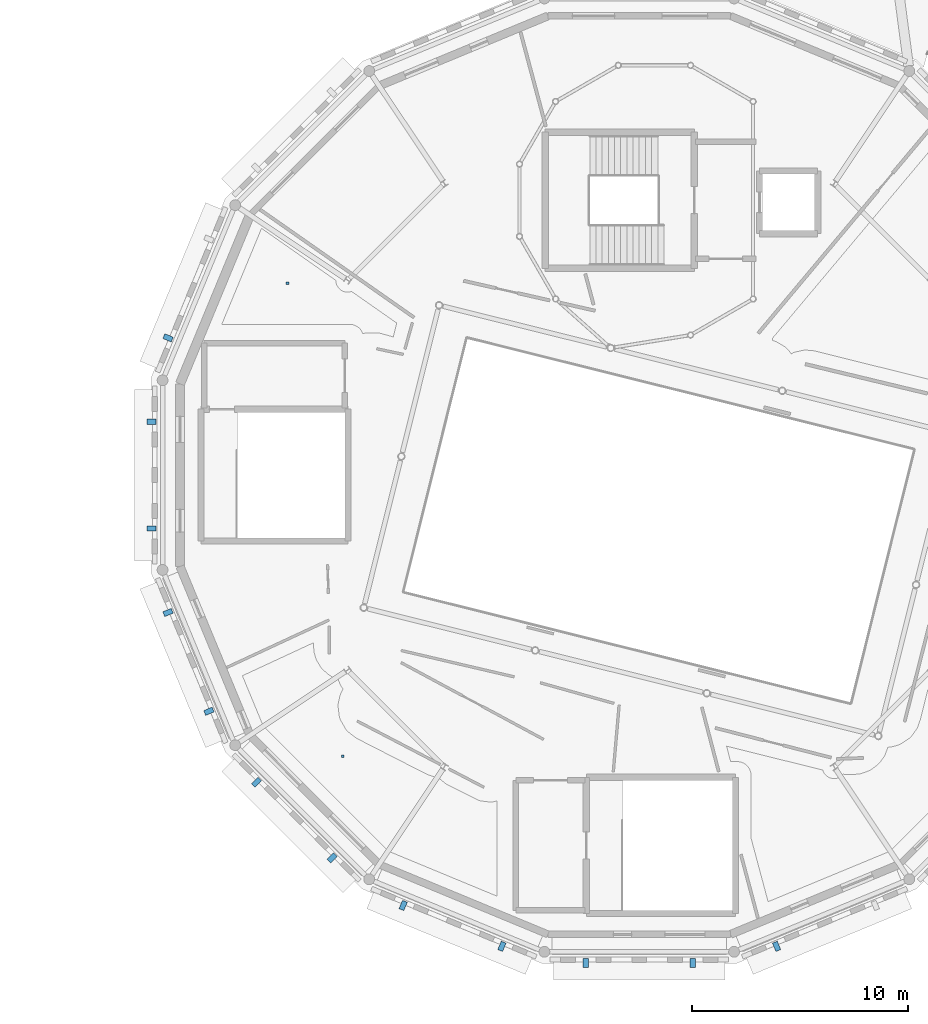
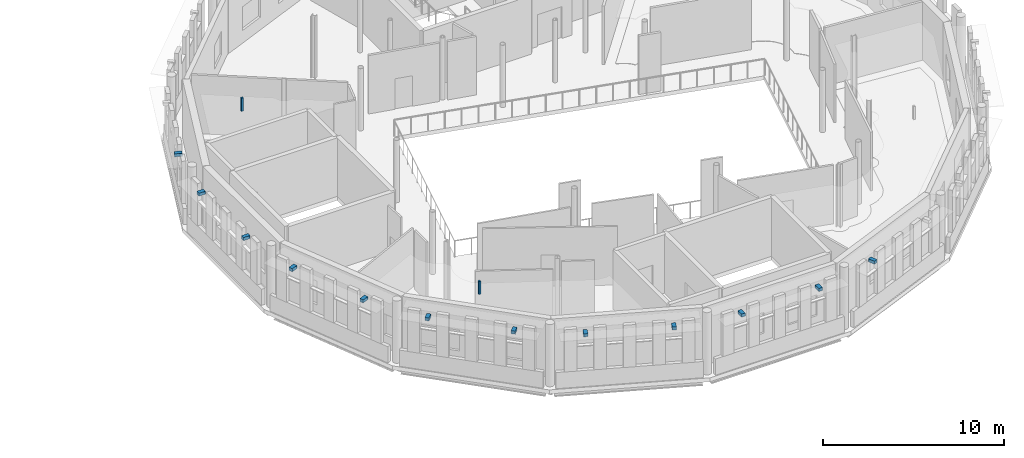
# One storey, part 59 of 68: 14 discrete accessories.
"""IFC4 building model written with IfcOpenShell, lengths in metres."""

from ifc_helpers import new_model, si_unit, direction, frame, origin, origin_2d, place, context, subcontext, project, spatial, rectangle, extrude, material, type_object, element, save


model = new_model("IFC4")

# Units and contexts
model_context = context("Model", 3, precision=1e-05, world=origin(), true_north=direction((0.0, 1.0)))
body_context = subcontext(model_context, "Body", "Model", "MODEL_VIEW")
ifc_project = project(units=[si_unit("LENGTHUNIT", "METRE"), si_unit("AREAUNIT", "SQUARE_METRE"), si_unit("VOLUMEUNIT", "CUBIC_METRE"), si_unit("PLANEANGLEUNIT", "RADIAN"), si_unit("MASSUNIT", "GRAM", prefix="KILO")], contexts=[model_context])

# Site, building, storey
site_placement = place(None, origin())
site = spatial("IfcSite", under=ifc_project, at=site_placement, CompositionType="ELEMENT")
building_placement = place(site_placement, origin())
building = spatial("IfcBuilding", under=site, at=building_placement, Name="Wrenclough Park School", CompositionType="ELEMENT")
storey_placement = place(building_placement, frame((0.0, 0.0, 12.60009765625)))
storey = spatial("IfcBuildingStorey", under=building, at=storey_placement, Name="L03", CompositionType="ELEMENT", Elevation=12.60009765625)

# Discrete accessories
ifc_material_1 = material(Name="Austenitic stainless steel Grade 1.4401", Category="steel")
discrete_accessory_type_1 = type_object("IfcDiscreteAccessoryType", Name="ENV-BRK-01", PredefinedType="BRACKET", material=ifc_material_1)
for number, where, z_axis, x_axis, name in (
    (1, (133.73291015625, 32.843994140625, 3.5400390625), (0.0, 0.0, 1.0), (-0.382684471717, -0.923879101997, 0.0), "Brise-soleil stainless outrigger bracket 0160"),
    (2, (132.9619140625, 28.968994140625, 3.5400390625), (0.0, 0.0, 1.0), (0.0, -1.0, 0.0), "Brise-soleil stainless outrigger bracket 0161"),
    (3, (132.9619140625, 24.031005859375, 3.5400390625), (0.0, 0.0, 1.0), (0.0, -1.0, 0.0), "Brise-soleil stainless outrigger bracket 0162"),
    (4, (133.73291015625, 20.156005859375, 3.5400390625), (0.0, 0.0, 1.0), (0.382684471717, -0.923879101997, 0.0), "Brise-soleil stainless outrigger bracket 0163"),
    (5, (135.622314453125, 15.593994140625, 3.5400390625), (0.0, 0.0, 1.0), (0.382684471717, -0.923879101997, 0.0), "Brise-soleil stainless outrigger bracket 0164"),
    (6, (137.8173828125, 12.30908203125, 3.5400390625), (0.0, 0.0, 1.0), (0.707106781187, -0.707106781187, 0.0), "Brise-soleil stainless outrigger bracket 0165"),
    (7, (141.30908203125, 8.8173828125, 3.5400390625), (0.0, 0.0, 1.0), (0.707106781187, -0.707106781187, 0.0), "Brise-soleil stainless outrigger bracket 0166"),
    (8, (144.593994140625, 6.622314453125, 3.5400390625), (0.0, 0.0, 1.0), (0.923879101997, -0.382684471717, 0.0), "Brise-soleil stainless outrigger bracket 0167"),
    (9, (149.156005859375, 4.73291015625, 3.5400390625), (0.0, 0.0, 1.0), (0.923879101997, -0.382684471717, 0.0), "Brise-soleil stainless outrigger bracket 0168"),
    (10, (153.031005859375, 3.9619140625, 3.5400390625), (0.0, 0.0, 1.0), (1.0, 0.0, 0.0), "Brise-soleil stainless outrigger bracket 0169"),
    (11, (157.968994140625, 3.9619140625, 3.5400390625), (0.0, 0.0, 1.0), (1.0, 0.0, 0.0), "Brise-soleil stainless outrigger bracket 0170"),
    (12, (161.843994140625, 4.73291015625, 3.5400390625), (0.0, 0.0, 1.0), (0.923879101997, 0.382684471717, 0.0), "Brise-soleil stainless outrigger bracket 0171"),
):
    element("IfcDiscreteAccessory", number, at=place(storey_placement, frame(where, z_axis=z_axis, x_axis=x_axis)), inside=storey, type_object=discrete_accessory_type_1, Name=name, PredefinedType="BRACKET", context=body_context, shape_type="SweptSolid", body=[
        extrude(rectangle(XDim=0.239990234375, YDim=0.419921875, at=origin_2d()), origin(), (0.0, 0.0, 1.0), 0.199951171875),
    ])
ifc_material_2 = material(Name="Galvanised steel acoustic ceiling suspension hanger", Category="steel")
discrete_accessory_type_2 = type_object("IfcDiscreteAccessoryType", Name="INT-BRK-HGR", PredefinedType="BRACKET", material=ifc_material_2)
for number, where, z_axis, x_axis, name in (
    (13, (141.7978515625, 13.509521484375, 3.08984375), (0.0, 0.0, 1.0), (1.0, 0.0, 0.0), "Acoustic ceiling hanger bracket 0064"),
    (14, (139.25146484375, 35.3671875, 3.08984375), (0.0, 0.0, 1.0), (1.0, 0.0, 0.0), "Acoustic ceiling hanger bracket 0067"),
):
    element("IfcDiscreteAccessory", number, at=place(storey_placement, frame(where, z_axis=z_axis, x_axis=x_axis)), inside=storey, type_object=discrete_accessory_type_2, Name=name, PredefinedType="BRACKET", context=body_context, shape_type="SweptSolid", body=[
        extrude(rectangle(XDim=0.1201171875, YDim=0.1201171875, at=origin_2d()), origin(), (0.0, 0.0, 1.0), 0.889892578125),
    ])

save(model, "model.ifc")
